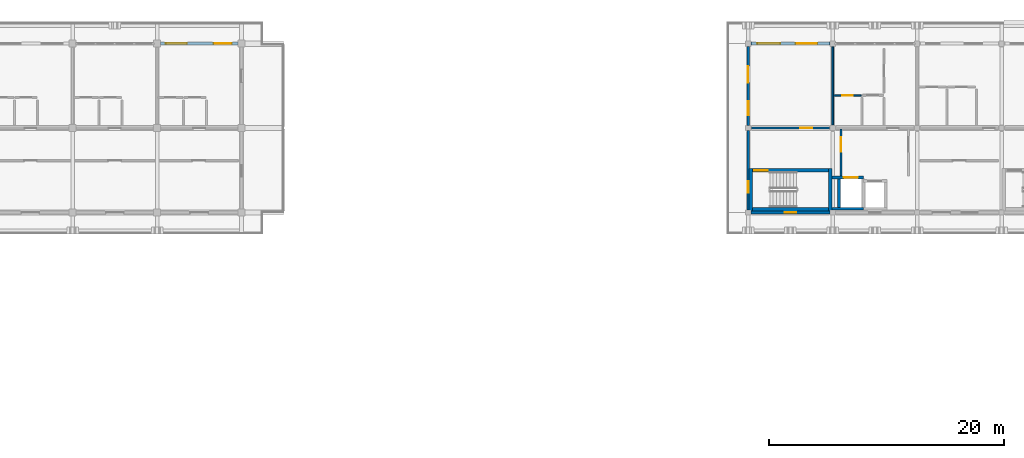
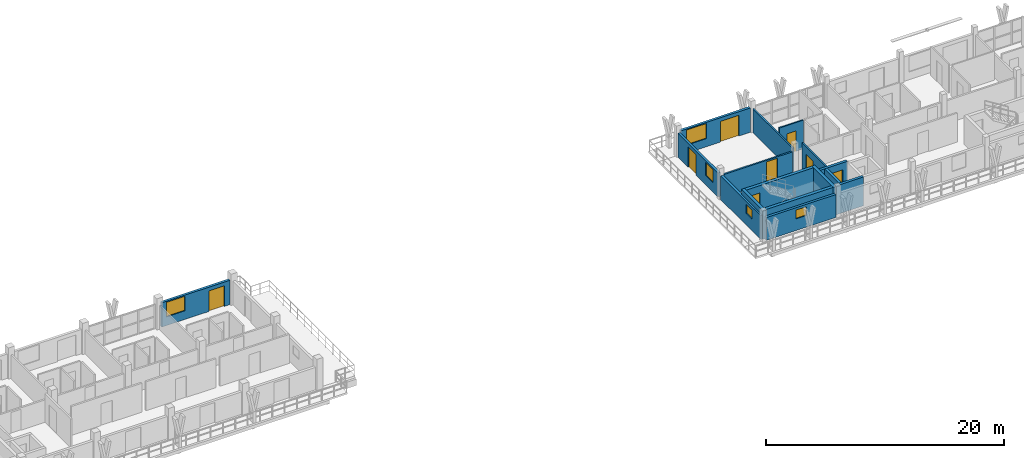
# One storey, part 36 of 56: 16 walls, 8 doors, 5 windows, 13 openings.
"""IFC4 building model written with IfcOpenShell, lengths in metres."""

from ifc_helpers import new_model, si_unit, direction, frame, frame_2d, origin, place, context, subcontext, project, spatial, rectangle, extrude, material, layer, layer_set, type_object, element, fill, save


model = new_model("IFC4")

# Units and contexts
model_context = context("Model", 3, precision=1e-05, world=origin(), true_north=direction((0.0, 1.0)))
body_context = subcontext(model_context, "Body", "Model", "MODEL_VIEW")
ifc_project = project(units=[si_unit("LENGTHUNIT", "METRE"), si_unit("AREAUNIT", "SQUARE_METRE"), si_unit("VOLUMEUNIT", "CUBIC_METRE"), si_unit("PLANEANGLEUNIT", "RADIAN"), si_unit("MASSUNIT", "GRAM", prefix="KILO")], contexts=[model_context])

# Site, building, storey
site_placement = place(None, origin())
site = spatial("IfcSite", under=ifc_project, at=site_placement, CompositionType="ELEMENT")
building_placement = place(site_placement, origin())
building = spatial("IfcBuilding", under=site, at=building_placement, Name="Suanplinth Sawtooth Commons", CompositionType="ELEMENT")
storey_placement = place(building_placement, frame((0.0, 0.0, 34.800048828125)))
storey = spatial("IfcBuildingStorey", under=building, at=storey_placement, Name="L10", CompositionType="ELEMENT", Elevation=34.800048828125)

# Wall
ifc_material_1 = material(Name="Concrete C40/50", Category="concrete")
ifc_layer_1 = layer(ifc_material_1, 0.300048828125, Name="Standard RC stair and lift core wall 300mm")
ifc_layer_set_1 = layer_set([ifc_layer_1], Name="Concrete C40/50")
wall_type_1 = type_object("IfcWallType", Name="W-CR02", PredefinedType="SHEAR", material=ifc_layer_set_1)
wall_1_placement = place(storey_placement, frame((137.14990234375, 108.300048828125, 0.0), z_axis=(0.0, 0.0, 1.0), x_axis=(1.0, 0.0, 0.0)))
element("IfcWall", 1, at=wall_1_placement, inside=storey, type_object=wall_type_1, Name="W-L10-C-B1-STS", PredefinedType="SHEAR", context=body_context, shape_type="SweptSolid", body=[
    extrude(rectangle(XDim=6.5, YDim=0.300048828125, at=frame_2d((3.25, 0.0))), origin(), (0.0, 0.0, 1.0), 2.9599609375),
])

# Wall, opening, door
wall_2_placement = place(storey_placement, frame((137.14990234375, 111.60009765625, 0.0), z_axis=(0.0, 0.0, 1.0), x_axis=(1.0, 0.0, 0.0)))
wall_2 = element("IfcWall", 2, at=wall_2_placement, inside=storey, type_object=wall_type_1, Name="W-L10-C-B1-STN", PredefinedType="SHEAR", context=body_context, shape_type="SweptSolid", body=[
    extrude(rectangle(XDim=6.5, YDim=0.300048828125, at=frame_2d((3.25, 0.0))), origin(), (0.0, 0.0, 1.0), 2.9599609375),
])
opening_1_placement = place(wall_2_placement, frame((0.179931640625, 0.0, 0.0)))
opening_1 = element("IfcOpeningElement", 3, at=opening_1_placement, cuts=wall_2, Name="Opening FD0209", PredefinedType="OPENING", context=body_context, shape_type="SweptSolid", body=[
    extrude(rectangle(XDim=1.14990234375, YDim=2.199951171875, at=frame_2d((0.574951171875, 1.10009765625))), frame((0.0, 0.1650390625, 0.0), z_axis=(0.0, -1.0, 0.0), x_axis=(1.0, 0.0, 0.0)), (0.0, 0.0, 1.0), 0.329833984375),
])
ifc_material_2 = material(Name="Teak hardwood fire-rated door assembly", Category="wood")
door_type_1 = type_object("IfcDoorType", Name="FD-01", OperationType="NOTDEFINED", PredefinedType="DOOR", material=ifc_material_2)
door_1_placement = place(opening_1_placement, frame((1.14990234375, 0.0, 0.0), z_axis=(0.0, 0.0, 1.0), x_axis=(-1.0, 0.0, 0.0)))
door_1 = element("IfcDoor", 4, at=door_1_placement, inside=storey, type_object=door_type_1, Name="Exit Stair Fire Door FD0209", OperationType="SINGLE_SWING_LEFT", OverallHeight=2.199951171875, OverallWidth=1.14990234375, PredefinedType="DOOR", context=body_context, shape_type="SweptSolid", body=[
    extrude(rectangle(XDim=1.14990234375, YDim=2.199951171875, at=frame_2d((0.574951171875, 1.10009765625))), frame((0.0, 0.02490234375, 0.0), z_axis=(0.0, -1.0, 0.0), x_axis=(1.0, 0.0, 0.0)), (0.0, 0.0, 1.0), 0.050048828125),
])
fill(opening_1, door_1)

# Walls
for number, where, z_axis, x_axis, name in (
    (5, (137.0, 108.14990234375, 0.0), (0.0, 0.0, 1.0), (0.0, 1.0, 0.0), "W-L10-C-B1-STW"),
    (6, (143.800048828125, 108.14990234375, 0.0), (0.0, 0.0, 1.0), (0.0, 1.0, 0.0), "W-L10-C-B1-STE"),
):
    element("IfcWall", number, at=place(storey_placement, frame(where, z_axis=z_axis, x_axis=x_axis)), inside=storey, type_object=wall_type_1, Name=name, PredefinedType="SHEAR", context=body_context, shape_type="SweptSolid", body=[
        extrude(rectangle(XDim=3.60009765625, YDim=0.300048828125, at=frame_2d((1.800048828125, 0.0))), origin(), (0.0, 0.0, 1.0), 2.9599609375),
    ])

# Wall, openings, door, window
ifc_material_3 = material(Name="Precast concrete C40/50", Category="concrete")
ifc_layer_2 = layer(ifc_material_3, 0.239990234375, Name="Upper insulated precast facade wall 240mm")
ifc_layer_set_2 = layer_set([ifc_layer_2], Name="Precast concrete C40/50")
wall_type_2 = type_object("IfcWallType", Name="W-EX03", PredefinedType="ELEMENTEDWALL", material=ifc_layer_set_2)
wall_3_placement = place(storey_placement, frame((86.699951171875, 122.39990234375, 0.0), z_axis=(0.0, 0.0, 1.0), x_axis=(1.0, 0.0, 0.0)))
wall_3 = element("IfcWall", 7, at=wall_3_placement, inside=storey, type_object=wall_type_2, Name="Facade Wall W-L10-A-N-9", PredefinedType="ELEMENTEDWALL", context=body_context, shape_type="SweptSolid", body=[
    extrude(rectangle(XDim=6.60009765625, YDim=0.239990234375, at=frame_2d((3.300048828125, 0.0))), origin(), (0.0, 0.0, 1.0), 2.494873046875),
])
opening_2_placement = place(wall_3_placement, frame((4.550048828125, 0.0, 0.0)))
opening_2 = element("IfcOpeningElement", 8, at=opening_2_placement, cuts=wall_3, Name="Opening ED0746", PredefinedType="OPENING", context=body_context, shape_type="SweptSolid", body=[
    extrude(rectangle(XDim=1.5, YDim=2.1201171875, at=frame_2d((0.75, 1.06005859375))), frame((0.0, 0.134765625, 0.0), z_axis=(0.0, -1.0, 0.0), x_axis=(1.0, 0.0, 0.0)), (0.0, 0.0, 1.0), 0.269775390625),
])
opening_3_placement = place(wall_3_placement, frame((0.449951171875, 0.0, 0.885009765625)))
opening_3 = element("IfcOpeningElement", 9, at=opening_3_placement, cuts=wall_3, Name="Opening W0827", PredefinedType="OPENING", context=body_context, shape_type="SweptSolid", body=[
    extrude(rectangle(XDim=1.800048828125, YDim=1.5, at=frame_2d((0.89990234375, 0.75))), frame((0.0, 0.134765625, 0.0), z_axis=(0.0, -1.0, 0.0), x_axis=(1.0, 0.0, 0.0)), (0.0, 0.0, 1.0), 0.269775390625),
])
ifc_material_4 = material(Name="Anodized aluminium and low-E glass", Category="aluminium")
door_type_2 = type_object("IfcDoorType", Name="SD-03", OperationType="SLIDING_TO_LEFT", PredefinedType="DOOR", material=ifc_material_4)
door_2_placement = place(opening_2_placement, frame((1.5, 0.0, 0.0), z_axis=(0.0, 0.0, 1.0), x_axis=(-1.0, 0.0, 0.0)))
door_2 = element("IfcDoor", 10, at=door_2_placement, inside=storey, type_object=door_type_2, Name="Balcony Sliding Door L10-A-N-9", OperationType="SLIDING_TO_LEFT", OverallHeight=2.1201171875, OverallWidth=1.5, PredefinedType="DOOR", context=body_context, shape_type="SweptSolid", body=[
    extrude(rectangle(XDim=1.5, YDim=2.1201171875, at=frame_2d((0.75, 1.06005859375))), frame((0.0, 0.02490234375, 0.0), z_axis=(0.0, -1.0, 0.0), x_axis=(1.0, 0.0, 0.0)), (0.0, 0.0, 1.0), 0.050048828125),
])
fill(opening_2, door_2)
ifc_material_5 = material(Name="Thermally broken aluminium and low-E double glazing", Category="aluminium")
window_type_1 = type_object("IfcWindowType", Name="WN-01", PartitioningType="DOUBLE_PANEL_VERTICAL", PredefinedType="WINDOW", material=ifc_material_5)
window_1_placement = place(opening_3_placement, origin())
window_1 = element("IfcWindow", 11, at=window_1_placement, inside=storey, type_object=window_type_1, Name="Window L10-A-N-9", OverallHeight=1.5, OverallWidth=1.800048828125, PartitioningType="DOUBLE_PANEL_VERTICAL", PredefinedType="WINDOW", context=body_context, shape_type="SweptSolid", body=[
    extrude(rectangle(XDim=1.800048828125, YDim=1.5, at=frame_2d((0.89990234375, 0.75))), frame((0.0, 0.030029296875, 0.0), z_axis=(0.0, -1.0, 0.0), x_axis=(1.0, 0.0, 0.0)), (0.0, 0.0, 1.0), 0.06005859375),
])
fill(opening_3, window_1)

# Wall, opening, window
wall_4_placement = place(storey_placement, frame((137.02490234375, 108.0, 0.0), z_axis=(0.0, 0.0, 1.0), x_axis=(1.0, 0.0, 0.0)))
wall_4 = element("IfcWall", 12, at=wall_4_placement, inside=storey, type_object=wall_type_2, Name="Facade Wall W-L10-B-S-19-15", PredefinedType="ELEMENTEDWALL", context=body_context, shape_type="SweptSolid", body=[
    extrude(rectangle(XDim=6.75, YDim=0.239990234375, at=frame_2d((3.375, 0.0))), origin(), (0.0, 0.0, 1.0), 2.344970703125),
])
opening_4_placement = place(wall_4_placement, frame((2.875, 0.0, 1.199951171875)))
opening_4 = element("IfcOpeningElement", 13, at=opening_4_placement, cuts=wall_4, Name="Opening W0830", PredefinedType="OPENING", context=body_context, shape_type="SweptSolid", body=[
    extrude(rectangle(XDim=1.0, YDim=0.89990234375, at=frame_2d((0.5, 0.449951171875))), frame((0.0, 0.134765625, 0.0), z_axis=(0.0, -1.0, 0.0), x_axis=(1.0, 0.0, 0.0)), (0.0, 0.0, 1.0), 0.269775390625),
])
window_type_2 = type_object("IfcWindowType", Name="WN-12", PartitioningType="SINGLE_PANEL", PredefinedType="WINDOW", material=ifc_material_5)
window_2_placement = place(opening_4_placement, origin())
window_2 = element("IfcWindow", 14, at=window_2_placement, inside=storey, type_object=window_type_2, Name="Core Daylight Window L10-B-19-15", OverallHeight=0.89990234375, OverallWidth=1.0, PartitioningType="SINGLE_PANEL", PredefinedType="WINDOW", context=body_context, shape_type="SweptSolid", body=[
    extrude(rectangle(XDim=1.0, YDim=0.89990234375, at=frame_2d((0.5, 0.449951171875))), frame((0.0, 0.030029296875, 0.0), z_axis=(0.0, -1.0, 0.0), x_axis=(1.0, 0.0, 0.0)), (0.0, 0.0, 1.0), 0.06005859375),
])
fill(opening_4, window_2)

wall_5_placement = place(storey_placement, frame((136.800048828125, 108.22509765625, 0.0), z_axis=(0.0, 0.0, 1.0), x_axis=(0.0, 1.0, 0.0)))
wall_5 = element("IfcWall", 15, at=wall_5_placement, inside=storey, type_object=wall_type_2, Name="Facade Wall W-L10-B-W-19-15", PredefinedType="ELEMENTEDWALL", context=body_context, shape_type="SweptSolid", body=[
    extrude(rectangle(XDim=6.75, YDim=0.239990234375, at=frame_2d((3.375, 0.0))), origin(), (0.0, 0.0, 1.0), 2.445068359375),
])
opening_5_placement = place(wall_5_placement, frame((1.449951171875, 0.0, 1.199951171875)))
opening_5 = element("IfcOpeningElement", 16, at=opening_5_placement, cuts=wall_5, Name="Opening W0831", PredefinedType="OPENING", context=body_context, shape_type="SweptSolid", body=[
    extrude(rectangle(XDim=1.0, YDim=0.89990234375, at=frame_2d((0.5, 0.449951171875))), frame((0.0, 0.134765625, 0.0), z_axis=(0.0, -1.0, 0.0), x_axis=(1.0, 0.0, 0.0)), (0.0, 0.0, 1.0), 0.269775390625),
])
window_3_placement = place(opening_5_placement, origin())
window_3 = element("IfcWindow", 17, at=window_3_placement, inside=storey, type_object=window_type_2, Name="Core Daylight Window L10-B-19-15", OverallHeight=0.89990234375, OverallWidth=1.0, PartitioningType="SINGLE_PANEL", PredefinedType="WINDOW", context=body_context, shape_type="SweptSolid", body=[
    extrude(rectangle(XDim=1.0, YDim=0.89990234375, at=frame_2d((0.5, 0.449951171875))), frame((0.0, 0.030029296875, 0.0), z_axis=(0.0, -1.0, 0.0), x_axis=(1.0, 0.0, 0.0)), (0.0, 0.0, 1.0), 0.06005859375),
])
fill(opening_5, window_3)

# Wall, openings, door, window
wall_6_placement = place(storey_placement, frame((137.02490234375, 122.39990234375, 0.0), z_axis=(0.0, 0.0, 1.0), x_axis=(1.0, 0.0, 0.0)))
wall_6 = element("IfcWall", 18, at=wall_6_placement, inside=storey, type_object=wall_type_2, Name="Facade Wall W-L10-B-N-19-16", PredefinedType="ELEMENTEDWALL", context=body_context, shape_type="SweptSolid", body=[
    extrude(rectangle(XDim=6.75, YDim=0.239990234375, at=frame_2d((3.375, 0.0))), origin(), (0.0, 0.0, 1.0), 2.494873046875),
])
opening_6_placement = place(wall_6_placement, frame((3.85009765625, 0.0, 0.0)))
opening_6 = element("IfcOpeningElement", 19, at=opening_6_placement, cuts=wall_6, Name="Opening ED0750", PredefinedType="OPENING", context=body_context, shape_type="SweptSolid", body=[
    extrude(rectangle(XDim=1.800048828125, YDim=2.1201171875, at=frame_2d((0.89990234375, 1.06005859375))), frame((0.0, 0.134765625, 0.0), z_axis=(0.0, -1.0, 0.0), x_axis=(1.0, 0.0, 0.0)), (0.0, 0.0, 1.0), 0.269775390625),
])
opening_7_placement = place(wall_6_placement, frame((0.550048828125, 0.0, 0.8349609375)))
opening_7 = element("IfcOpeningElement", 20, at=opening_7_placement, cuts=wall_6, Name="Opening W0832", PredefinedType="OPENING", context=body_context, shape_type="SweptSolid", body=[
    extrude(rectangle(XDim=1.949951171875, YDim=1.550048828125, at=frame_2d((0.97509765625, 0.77490234375))), frame((0.0, 0.134765625, 0.0), z_axis=(0.0, -1.0, 0.0), x_axis=(1.0, 0.0, 0.0)), (0.0, 0.0, 1.0), 0.269775390625),
])
door_type_3 = type_object("IfcDoorType", Name="SD-01", OperationType="SLIDING_TO_LEFT", PredefinedType="DOOR", material=ifc_material_4)
door_3_placement = place(opening_6_placement, frame((1.800048828125, 0.0, 0.0), z_axis=(0.0, 0.0, 1.0), x_axis=(-1.0, 0.0, 0.0)))
door_3 = element("IfcDoor", 21, at=door_3_placement, inside=storey, type_object=door_type_3, Name="Balcony Sliding Door L10-B-19", OperationType="SLIDING_TO_LEFT", OverallHeight=2.1201171875, OverallWidth=1.800048828125, PredefinedType="DOOR", context=body_context, shape_type="SweptSolid", body=[
    extrude(rectangle(XDim=1.800048828125, YDim=2.1201171875, at=frame_2d((0.89990234375, 1.06005859375))), frame((0.0, 0.02490234375, 0.0), z_axis=(0.0, -1.0, 0.0), x_axis=(1.0, 0.0, 0.0)), (0.0, 0.0, 1.0), 0.050048828125),
])
fill(opening_6, door_3)
window_type_3 = type_object("IfcWindowType", Name="WN-18", PartitioningType="DOUBLE_PANEL_VERTICAL", PredefinedType="WINDOW", material=ifc_material_5)
window_4_placement = place(opening_7_placement, origin())
window_4 = element("IfcWindow", 22, at=window_4_placement, inside=storey, type_object=window_type_3, Name="Apartment Window L10-B-19", OverallHeight=1.550048828125, OverallWidth=1.949951171875, PartitioningType="DOUBLE_PANEL_VERTICAL", PredefinedType="WINDOW", context=body_context, shape_type="SweptSolid", body=[
    extrude(rectangle(XDim=1.949951171875, YDim=1.550048828125, at=frame_2d((0.97509765625, 0.77490234375))), frame((0.0, 0.030029296875, 0.0), z_axis=(0.0, -1.0, 0.0), x_axis=(1.0, 0.0, 0.0)), (0.0, 0.0, 1.0), 0.06005859375),
])
fill(opening_7, window_4)

wall_7_placement = place(storey_placement, frame((136.800048828125, 115.425048828125, 0.0), z_axis=(0.0, 0.0, 1.0), x_axis=(0.0, 1.0, 0.0)))
wall_7 = element("IfcWall", 23, at=wall_7_placement, inside=storey, type_object=wall_type_2, Name="Facade Wall W-L10-B-W-19-16", PredefinedType="ELEMENTEDWALL", context=body_context, shape_type="SweptSolid", body=[
    extrude(rectangle(XDim=6.75, YDim=0.239990234375, at=frame_2d((3.375, 0.0))), origin(), (0.0, 0.0, 1.0), 2.445068359375),
])
opening_8_placement = place(wall_7_placement, frame((3.64990234375, 0.0, 0.0)))
opening_8 = element("IfcOpeningElement", 24, at=opening_8_placement, cuts=wall_7, Name="Opening ED0751", PredefinedType="OPENING", context=body_context, shape_type="SweptSolid", body=[
    extrude(rectangle(XDim=1.39990234375, YDim=2.10009765625, at=frame_2d((0.699951171875, 1.050048828125))), frame((0.0, 0.134765625, 0.0), z_axis=(0.0, -1.0, 0.0), x_axis=(1.0, 0.0, 0.0)), (0.0, 0.0, 1.0), 0.269775390625),
])
opening_9_placement = place(wall_7_placement, frame((0.85009765625, 0.0, 0.949951171875)))
opening_9 = element("IfcOpeningElement", 25, at=opening_9_placement, cuts=wall_7, Name="Opening W0833", PredefinedType="OPENING", context=body_context, shape_type="SweptSolid", body=[
    extrude(rectangle(XDim=1.199951171875, YDim=1.35009765625, at=frame_2d((0.60009765625, 0.675048828125))), frame((0.0, 0.134765625, 0.0), z_axis=(0.0, -1.0, 0.0), x_axis=(1.0, 0.0, 0.0)), (0.0, 0.0, 1.0), 0.269775390625),
])
door_type_4 = type_object("IfcDoorType", Name="SD-07", OperationType="SLIDING_TO_RIGHT", PredefinedType="DOOR", material=ifc_material_4)
door_4_placement = place(opening_8_placement, frame((1.39990234375, 0.0, 0.0), z_axis=(0.0, 0.0, 1.0), x_axis=(-1.0, 0.0, 0.0)))
door_4 = element("IfcDoor", 26, at=door_4_placement, inside=storey, type_object=door_type_4, Name="End Balcony Sliding Door L10-B-W-19-16", OperationType="SLIDING_TO_RIGHT", OverallHeight=2.10009765625, OverallWidth=1.39990234375, PredefinedType="DOOR", context=body_context, shape_type="SweptSolid", body=[
    extrude(rectangle(XDim=1.39990234375, YDim=2.10009765625, at=frame_2d((0.699951171875, 1.050048828125))), frame((0.0, 0.02490234375, 0.0), z_axis=(0.0, -1.0, 0.0), x_axis=(1.0, 0.0, 0.0)), (0.0, 0.0, 1.0), 0.050048828125),
])
fill(opening_8, door_4)
window_type_4 = type_object("IfcWindowType", Name="WN-03", PartitioningType="SINGLE_PANEL", PredefinedType="WINDOW", material=ifc_material_5)
window_5_placement = place(opening_9_placement, origin())
window_5 = element("IfcWindow", 27, at=window_5_placement, inside=storey, type_object=window_type_4, Name="End Bedroom Window L10-B-19-16", OverallHeight=1.35009765625, OverallWidth=1.199951171875, PartitioningType="SINGLE_PANEL", PredefinedType="WINDOW", context=body_context, shape_type="SweptSolid", body=[
    extrude(rectangle(XDim=1.199951171875, YDim=1.35009765625, at=frame_2d((0.60009765625, 0.675048828125))), frame((0.0, 0.030029296875, 0.0), z_axis=(0.0, -1.0, 0.0), x_axis=(1.0, 0.0, 0.0)), (0.0, 0.0, 1.0), 0.06005859375),
])
fill(opening_9, window_5)

# Wall, opening, door
ifc_layer_3 = layer(ifc_material_3, 0.159912109375, Name="Fire-rated corridor and lobby wall 160mm")
ifc_layer_set_3 = layer_set([ifc_layer_3], Name="Precast concrete C40/50")
wall_type_3 = type_object("IfcWallType", Name="W-FW01", PredefinedType="PARTITIONING", material=ifc_layer_set_3)
wall_8_placement = place(storey_placement, frame((144.719970703125, 111.10009765625, 0.0), z_axis=(0.0, 0.0, 1.0), x_axis=(0.0, 1.0, 0.0)))
wall_8 = element("IfcWall", 28, at=wall_8_placement, inside=storey, type_object=wall_type_3, Name="W-L10-C-B1-LOB-W", PredefinedType="PARTITIONING", context=body_context, shape_type="SweptSolid", body=[
    extrude(rectangle(XDim=4.02001953125, YDim=0.159912109375, at=frame_2d((2.010009765625, 0.0))), origin(), (0.0, 0.0, 1.0), 2.9599609375),
])
opening_10_placement = place(wall_8_placement, frame((2.10009765625, 0.0, 0.0)))
opening_10 = element("IfcOpeningElement", 29, at=opening_10_placement, cuts=wall_8, Name="Opening FD0210", PredefinedType="OPENING", context=body_context, shape_type="SweptSolid", body=[
    extrude(rectangle(XDim=1.199951171875, YDim=2.199951171875, at=frame_2d((0.60009765625, 1.10009765625))), frame((0.0, 0.0947265625, 0.0), z_axis=(0.0, -1.0, 0.0), x_axis=(1.0, 0.0, 0.0)), (0.0, 0.0, 1.0), 0.189697265625),
])
door_type_5 = type_object("IfcDoorType", Name="FD-02", OperationType="NOTDEFINED", PredefinedType="DOOR", material=ifc_material_2)
door_5_placement = place(opening_10_placement, origin())
door_5 = element("IfcDoor", 30, at=door_5_placement, inside=storey, type_object=door_type_5, Name="Lobby Fire Door FD0210", OperationType="SINGLE_SWING_RIGHT", OverallHeight=2.199951171875, OverallWidth=1.199951171875, PredefinedType="DOOR", context=body_context, shape_type="SweptSolid", body=[
    extrude(rectangle(XDim=1.199951171875, YDim=2.199951171875, at=frame_2d((0.60009765625, 1.10009765625))), frame((0.0, 0.02490234375, 0.0), z_axis=(0.0, -1.0, 0.0), x_axis=(1.0, 0.0, 0.0)), (0.0, 0.0, 1.0), 0.050048828125),
])
fill(opening_10, door_5)

wall_9_placement = place(storey_placement, frame((137.080078125, 115.199951171875, 0.0), z_axis=(0.0, 0.0, 1.0), x_axis=(1.0, 0.0, 0.0)))
wall_9 = element("IfcWall", 31, at=wall_9_placement, inside=storey, type_object=wall_type_3, Name="W-B-L10-U01-COR", PredefinedType="PARTITIONING", context=body_context, shape_type="SweptSolid", body=[
    extrude(rectangle(XDim=6.6650390625, YDim=0.159912109375, at=frame_2d((3.33251953125, 0.0))), origin(), (0.0, 0.0, 1.0), 2.344970703125),
])
opening_11_placement = place(wall_9_placement, frame((4.14501953125, 0.0, 0.0)))
opening_11 = element("IfcOpeningElement", 32, at=opening_11_placement, cuts=wall_9, Name="Opening D1878", PredefinedType="OPENING", context=body_context, shape_type="SweptSolid", body=[
    extrude(rectangle(XDim=1.050048828125, YDim=2.199951171875, at=frame_2d((0.52490234375, 1.10009765625))), frame((0.0, 0.0947265625, 0.0), z_axis=(0.0, -1.0, 0.0), x_axis=(1.0, 0.0, 0.0)), (0.0, 0.0, 1.0), 0.189697265625),
])
ifc_material_6 = material(Name="Teak hardwood", Category="wood")
door_type_6 = type_object("IfcDoorType", Name="D-05", OperationType="NOTDEFINED", PredefinedType="DOOR", material=ifc_material_6)
door_6_placement = place(opening_11_placement, origin())
door_6 = element("IfcDoor", 33, at=door_6_placement, inside=storey, type_object=door_type_6, Name="Unit Entrance Door D1878", OperationType="SINGLE_SWING_RIGHT", OverallHeight=2.199951171875, OverallWidth=1.050048828125, PredefinedType="DOOR", context=body_context, shape_type="SweptSolid", body=[
    extrude(rectangle(XDim=1.050048828125, YDim=2.199951171875, at=frame_2d((0.52490234375, 1.10009765625))), frame((0.0, 0.02490234375, 0.0), z_axis=(0.0, -1.0, 0.0), x_axis=(1.0, 0.0, 0.0)), (0.0, 0.0, 1.0), 0.050048828125),
])
fill(opening_11, door_6)

# Wall
ifc_layer_4 = layer(ifc_material_3, 0.14990234375, Name="Acoustic precast party demising wall 150mm")
ifc_layer_set_4 = layer_set([ifc_layer_4], Name="Precast concrete C40/50")
wall_type_4 = type_object("IfcWallType", Name="W-FW02", PredefinedType="PARTITIONING", material=ifc_layer_set_4)
wall_10_placement = place(storey_placement, frame((144.0, 115.47998046875, 0.0), z_axis=(0.0, 0.0, 1.0), x_axis=(0.0, 1.0, 0.0)))
element("IfcWall", 34, at=wall_10_placement, inside=storey, type_object=wall_type_4, Name="W-B-L10-U01-PTY", PredefinedType="PARTITIONING", context=body_context, shape_type="SweptSolid", body=[
    extrude(rectangle(XDim=6.64013671875, YDim=0.14990234375, at=frame_2d((3.320068359375, 0.0))), origin(), (0.0, 0.0, 1.0), 2.445068359375),
])

# Wall, opening, door
ifc_material_7 = material(Name="Gypsum plasterboard on steel stud", Category="steel")
ifc_layer_5 = layer(ifc_material_7, 0.1298828125, Name="Moisture-resistant bathroom partition 130mm")
ifc_layer_set_5 = layer_set([ifc_layer_5], Name="Gypsum plasterboard on steel stud")
wall_type_5 = type_object("IfcWallType", Name="W-PT02", PredefinedType="PARTITIONING", material=ifc_layer_set_5)
wall_11_placement = place(storey_placement, frame((144.080078125, 117.9951171875, 0.0), z_axis=(0.0, 0.0, 1.0), x_axis=(1.0, 0.0, 0.0)))
wall_11 = element("IfcWall", 35, at=wall_11_placement, inside=storey, type_object=wall_type_5, Name="W-B-L10-U02-BTH1", PredefinedType="PARTITIONING", context=body_context, shape_type="SweptSolid", body=[
    extrude(rectangle(XDim=2.349853515625, YDim=0.1298828125, at=frame_2d((1.1748046875, 0.0))), origin(), (0.0, 0.0, 1.0), 2.9599609375),
])
opening_12_placement = place(wall_11_placement, frame((0.72509765625, 0.0, 0.0)))
opening_12 = element("IfcOpeningElement", 36, at=opening_12_placement, cuts=wall_11, Name="Opening D1880", PredefinedType="OPENING", context=body_context, shape_type="SweptSolid", body=[
    extrude(rectangle(XDim=0.89990234375, YDim=2.10009765625, at=frame_2d((0.449951171875, 1.050048828125))), frame((0.0, 0.079833984375, 0.0), z_axis=(0.0, -1.0, 0.0), x_axis=(1.0, 0.0, 0.0)), (0.0, 0.0, 1.0), 0.15966796875),
])
door_type_7 = type_object("IfcDoorType", Name="D-01", OperationType="NOTDEFINED", PredefinedType="DOOR", material=ifc_material_6)
door_7_placement = place(opening_12_placement, frame((0.89990234375, 0.0, 0.0), z_axis=(0.0, 0.0, 1.0), x_axis=(-1.0, 0.0, 0.0)))
door_7 = element("IfcDoor", 37, at=door_7_placement, inside=storey, type_object=door_type_7, Name="Bathroom Door D1880", OperationType="SINGLE_SWING_RIGHT", OverallHeight=2.10009765625, OverallWidth=0.89990234375, PredefinedType="DOOR", context=body_context, shape_type="SweptSolid", body=[
    extrude(rectangle(XDim=0.89990234375, YDim=2.10009765625, at=frame_2d((0.449951171875, 1.050048828125))), frame((0.0, 0.02490234375, 0.0), z_axis=(0.0, -1.0, 0.0), x_axis=(1.0, 0.0, 0.0)), (0.0, 0.0, 1.0), 0.050048828125),
])
fill(opening_12, door_7)

# Wall
ifc_layer_6 = layer(ifc_material_3, 0.25, Name="Precast structural shear wall 250mm")
ifc_layer_set_6 = layer_set([ifc_layer_6], Name="Precast concrete C40/50")
wall_type_6 = type_object("IfcWallType", Name="W-SH01", PredefinedType="SHEAR", material=ifc_layer_set_6)
wall_12_placement = place(storey_placement, frame((143.949951171875, 108.324951171875, 0.0), z_axis=(0.0, 0.0, 1.0), x_axis=(1.0, 0.0, 0.0)))
element("IfcWall", 38, at=wall_12_placement, inside=storey, type_object=wall_type_6, Name="W-L10-FL2-S", PredefinedType="SHEAR", context=body_context, shape_type="SweptSolid", body=[
    extrude(rectangle(XDim=2.675048828125, YDim=0.25, at=frame_2d((1.33740234375, 0.0))), origin(), (0.0, 0.0, 1.0), 2.9599609375),
])

# Wall, opening, door
wall_13_placement = place(storey_placement, frame((143.949951171875, 110.97509765625, 0.0), z_axis=(0.0, 0.0, 1.0), x_axis=(1.0, 0.0, 0.0)))
wall_13 = element("IfcWall", 39, at=wall_13_placement, inside=storey, type_object=wall_type_6, Name="W-L10-FL2-N", PredefinedType="SHEAR", context=body_context, shape_type="SweptSolid", body=[
    extrude(rectangle(XDim=2.675048828125, YDim=0.25, at=frame_2d((1.33740234375, 0.0))), origin(), (0.0, 0.0, 1.0), 2.9599609375),
])
opening_13_placement = place(wall_13_placement, frame((1.0, 0.0, 0.0)))
opening_13 = element("IfcOpeningElement", 40, at=opening_13_placement, cuts=wall_13, Name="Opening LD0212", PredefinedType="OPENING", context=body_context, shape_type="SweptSolid", body=[
    extrude(rectangle(XDim=1.199951171875, YDim=2.25, at=frame_2d((0.60009765625, 1.125))), frame((0.0, 0.139892578125, 0.0), z_axis=(0.0, -1.0, 0.0), x_axis=(1.0, 0.0, 0.0)), (0.0, 0.0, 1.0), 0.27978515625),
])
ifc_material_8 = material(Name="Stainless steel Grade 304", Category="steel")
door_type_8 = type_object("IfcDoorType", Name="LD-02", OperationType="SLIDING_TO_LEFT", PredefinedType="DOOR", material=ifc_material_8)
door_8_placement = place(opening_13_placement, origin())
door_8 = element("IfcDoor", 41, at=door_8_placement, inside=storey, type_object=door_type_8, Name="Lift Landing Sliding Door FL2 L10", OperationType="SLIDING_TO_LEFT", OverallHeight=2.25, OverallWidth=1.199951171875, PredefinedType="DOOR", context=body_context, shape_type="SweptSolid", body=[
    extrude(rectangle(XDim=1.199951171875, YDim=2.25, at=frame_2d((0.60009765625, 1.125))), frame((0.0, 0.02490234375, 0.0), z_axis=(0.0, -1.0, 0.0), x_axis=(1.0, 0.0, 0.0)), (0.0, 0.0, 1.0), 0.050048828125),
])
fill(opening_13, door_8)

# Wall
wall_14_placement = place(storey_placement, frame((144.52490234375, 108.449951171875, 0.0), z_axis=(0.0, 0.0, 1.0), x_axis=(0.0, 1.0, 0.0)))
element("IfcWall", 42, at=wall_14_placement, inside=storey, type_object=wall_type_6, Name="W-L10-FL2-W", PredefinedType="SHEAR", context=body_context, shape_type="SweptSolid", body=[
    extrude(rectangle(XDim=2.400146484375, YDim=0.25, at=frame_2d((1.2001953125, 0.0))), origin(), (0.0, 0.0, 1.0), 2.9599609375),
])

save(model, "model.ifc")
